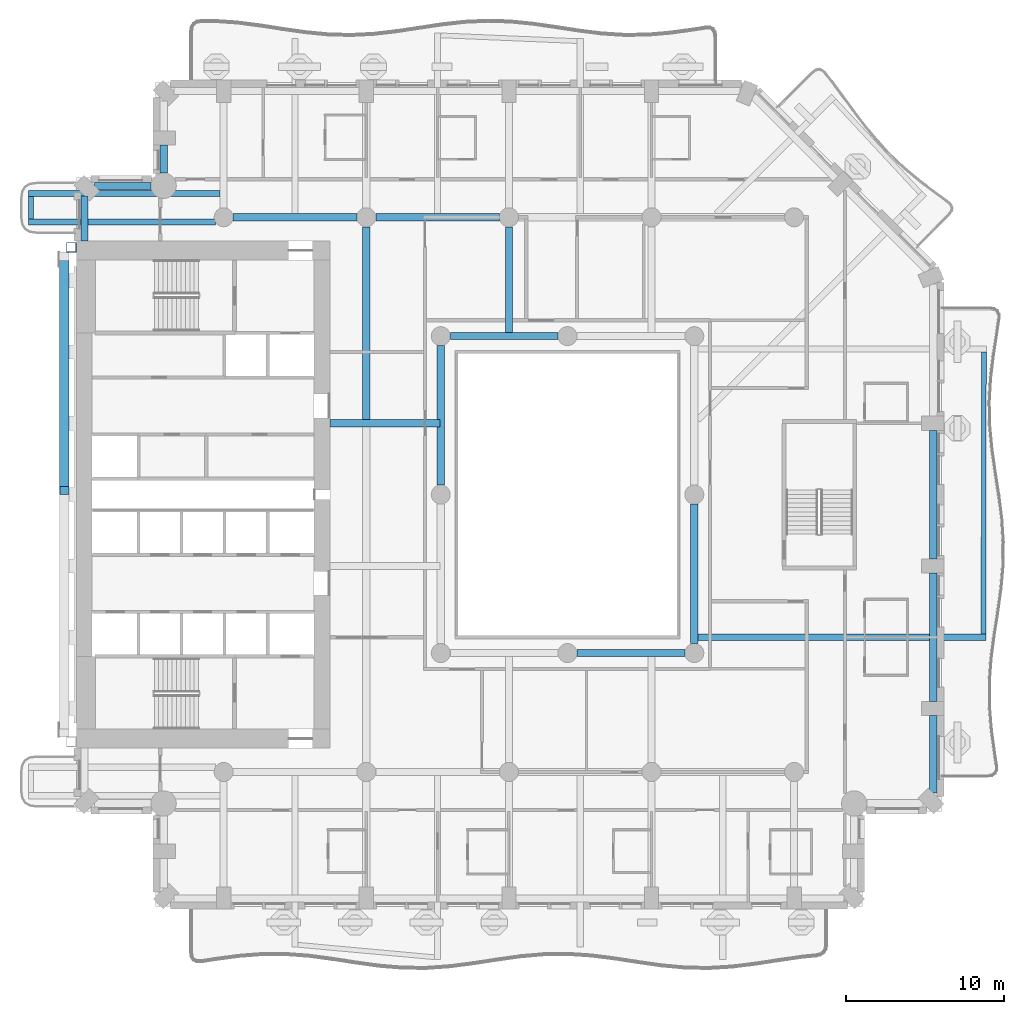
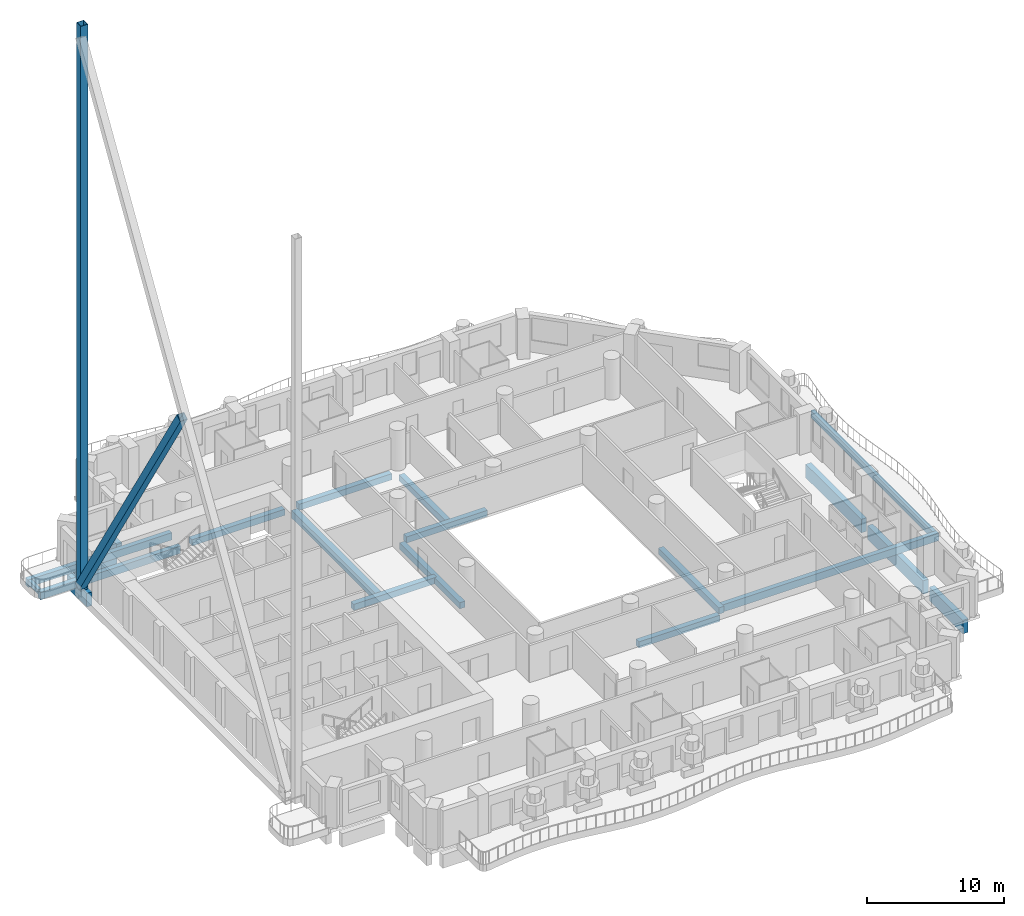
# One storey, part 3 of 24: 20 beams, 2 members.
"""IFC4 building model written with IfcOpenShell, lengths in metres."""

from ifc_helpers import new_model, si_unit, direction, frame, origin, origin_2d, place, context, subcontext, project, spatial, rectangle, hollow_rectangle, extrude, material, material_profile, profile_set, type_object, element, save


model = new_model("IFC4")

# Units and contexts
model_context = context("Model", 3, precision=1e-05, world=origin(), true_north=direction((0.0, 1.0)))
body_context = subcontext(model_context, "Body", "Model", "MODEL_VIEW")
ifc_project = project(units=[si_unit("LENGTHUNIT", "METRE"), si_unit("AREAUNIT", "SQUARE_METRE"), si_unit("VOLUMEUNIT", "CUBIC_METRE"), si_unit("PLANEANGLEUNIT", "RADIAN"), si_unit("MASSUNIT", "GRAM", prefix="KILO")], contexts=[model_context])

# Site, building, storey
site_placement = place(None, origin())
site = spatial("IfcSite", under=ifc_project, at=site_placement, CompositionType="ELEMENT")
building_placement = place(site_placement, origin())
building = spatial("IfcBuilding", under=site, at=building_placement, Name="Cypress Arch Tower", CompositionType="ELEMENT")
storey_placement = place(building_placement, frame((0.0, 0.0, 102.300048828125)))
storey = spatial("IfcBuildingStorey", under=building, at=storey_placement, Name="L20", CompositionType="ELEMENT", Elevation=102.300048828125)

# Beams
ifc_material_1 = material(Name="Concrete C50/60", Category="concrete")
ifc_material_profile_1 = material_profile(ifc_material_1, rectangle(XDim=0.300048828125, YDim=0.64990234375, at=origin_2d()), Name="RC 300x650")
ifc_profile_set_1 = profile_set([ifc_material_profile_1], Name="Concrete C50/60")
beam_type_1 = type_object("IfcBeamType", Name="Balcony edge beam RC 300x650 Concrete C50/60", PredefinedType="BEAM", material=ifc_profile_set_1)
beam_1_placement = place(storey_placement, frame((27.247802734375, -8.800048828125, -0.625), z_axis=(0.001605839349, 0.999998710639, 0.0), x_axis=(-0.999998710639, 0.001605839349, 0.0)))
element("IfcBeam", 1, at=beam_1_placement, inside=storey, type_object=beam_type_1, Name="Balcony edge beam L20 A06", PredefinedType="BEAM", context=body_context, shape_type="SweptSolid", body=[
    extrude(rectangle(XDim=0.300048828125, YDim=0.64990234375, at=origin_2d()), origin(), (0.0, 0.0, 1.0), 17.787841796875),
])
ifc_material_2 = material(Name="Concrete C50/60", Category="concrete")
ifc_material_profile_2 = material_profile(ifc_material_2, rectangle(XDim=0.300048828125, YDim=0.39990234375, at=origin_2d()), Name="RC 300x400")
ifc_profile_set_2 = profile_set([ifc_material_profile_2], Name="Concrete C50/60")
beam_type_2 = type_object("IfcBeamType", Name="Balcony stub beam RC 300x400 Concrete C50/60", PredefinedType="BEAM", material=ifc_profile_set_2)
beam_2_placement = place(storey_placement, frame((-32.85009765625, 18.800048828125, -0.5), z_axis=(0.0, -1.0, 0.0), x_axis=(1.0, 0.0, 0.0)))
element("IfcBeam", 2, at=beam_2_placement, inside=storey, type_object=beam_type_2, Name="Balcony stub beam L20 A00W0", PredefinedType="BEAM", context=body_context, shape_type="SweptSolid", body=[
    extrude(rectangle(XDim=0.300048828125, YDim=0.39990234375, at=origin_2d()), origin(), (0.0, 0.0, 1.0), 1.400146484375),
])
ifc_material_3 = material(Name="Concrete C50/60", Category="concrete")
ifc_material_profile_3 = material_profile(ifc_material_3, rectangle(XDim=0.39990234375, YDim=0.64990234375, at=origin_2d()), Name="RC 400x650")
ifc_profile_set_3 = profile_set([ifc_material_profile_3], Name="Concrete C50/60")
beam_type_3 = type_object("IfcBeamType", Name="Cantilever beam RC 400x650 Concrete C50/60", PredefinedType="BEAM", material=ifc_profile_set_3)
beam_3_placement = place(storey_placement, frame((-20.925048828125, 19.0, -0.625), z_axis=(-1.0, 0.0, 0.0), x_axis=(0.0, -1.0, 0.0)))
element("IfcBeam", 3, at=beam_3_placement, inside=storey, type_object=beam_type_3, Name="Cantilever beam L20 A00 1", PredefinedType="BEAM", context=body_context, shape_type="SweptSolid", body=[
    extrude(rectangle(XDim=0.39990234375, YDim=0.64990234375, at=origin_2d()), origin(), (0.0, 0.0, 1.0), 12.074951171875),
])
beam_4_placement = place(storey_placement, frame((-21.219482421875, 17.199951171875, -0.625), z_axis=(-1.0, 0.0, 0.0), x_axis=(0.0, -1.0, 0.0)))
element("IfcBeam", 4, at=beam_4_placement, inside=storey, type_object=beam_type_3, Name="Cantilever beam L20 A00 2", PredefinedType="BEAM", context=body_context, shape_type="SweptSolid", body=[
    extrude(rectangle(XDim=0.39990234375, YDim=0.64990234375, at=origin_2d()), origin(), (0.0, 0.0, 1.0), 11.780517578125),
])
beam_5_placement = place(storey_placement, frame((9.22509765625, -9.0, -0.625), z_axis=(1.0, 0.0, 0.0), x_axis=(0.0, 1.0, 0.0)))
element("IfcBeam", 5, at=beam_5_placement, inside=storey, type_object=beam_type_3, Name="Cantilever beam L20 A06 1", PredefinedType="BEAM", context=body_context, shape_type="SweptSolid", body=[
    extrude(rectangle(XDim=0.39990234375, YDim=0.64990234375, at=origin_2d()), origin(), (0.0, 0.0, 1.0), 18.1728515625),
])
ifc_material_4 = material(Name="Concrete C50/60", Category="concrete")
ifc_material_profile_4 = material_profile(ifc_material_4, rectangle(XDim=0.449951171875, YDim=0.550048828125, at=origin_2d()), Name="RC 450x550")
ifc_profile_set_4 = profile_set([ifc_material_profile_4], Name="Concrete C50/60")
beam_type_4 = type_object("IfcBeamType", Name="Floor beam RC 450x550 Concrete C50/60", PredefinedType="BEAM", material=ifc_profile_set_4)
for number, where, z_axis, x_axis, name in (
    (6, (-7.0, 0.60009765625, -0.574951171875), (0.0, 1.0, 0.0), (-1.0, 0.0, 0.0), "Floor beam L20 RB002"),
    (7, (9.0, -9.39990234375, -0.574951171875), (0.0, 1.0, 0.0), (-1.0, 0.0, 0.0), "Floor beam L20 RB003"),
):
    element("IfcBeam", number, at=place(storey_placement, frame(where, z_axis=z_axis, x_axis=x_axis)), inside=storey, type_object=beam_type_4, Name=name, PredefinedType="BEAM", context=body_context, shape_type="SweptSolid", body=[
        extrude(rectangle(XDim=0.449951171875, YDim=0.550048828125, at=origin_2d()), origin(), (0.0, 0.0, 1.0), 8.7998046875),
    ])
for number, where, z_axis, x_axis, name in (
    (8, (1.60009765625, -10.0, -0.574951171875), (1.0, 0.0, 0.0), (0.0, 1.0, 0.0), "Floor beam L20 RB006"),
    (9, (-6.39990234375, 10.0, -0.574951171875), (1.0, 0.0, 0.0), (0.0, 1.0, 0.0), "Floor beam L20 RB007"),
):
    element("IfcBeam", number, at=place(storey_placement, frame(where, z_axis=z_axis, x_axis=x_axis)), inside=storey, type_object=beam_type_4, Name=name, PredefinedType="BEAM", context=body_context, shape_type="SweptSolid", body=[
        extrude(rectangle(XDim=0.449951171875, YDim=0.550048828125, at=origin_2d()), origin(), (0.0, 0.0, 1.0), 6.7998046875),
    ])
beam_6_placement = place(storey_placement, frame((-14.0, 4.5, -0.574951171875), z_axis=(1.0, 0.0, 0.0), x_axis=(0.0, 1.0, 0.0)))
element("IfcBeam", 10, at=beam_6_placement, inside=storey, type_object=beam_type_4, Name="Floor beam L20 FB014", PredefinedType="BEAM", context=body_context, shape_type="SweptSolid", body=[
    extrude(rectangle(XDim=0.449951171875, YDim=0.550048828125, at=origin_2d()), origin(), (0.0, 0.0, 1.0), 6.949951171875),
])
for number, where, z_axis, x_axis, name in (
    (11, (-20.10009765625, 17.5, -0.574951171875), (1.0, 0.0, 0.0), (0.0, 1.0, 0.0), "Floor beam L20 FB015"),
    (12, (-11.10009765625, 17.5, -0.574951171875), (1.0, 0.0, 0.0), (0.0, 1.0, 0.0), "Floor beam L20 FB016"),
):
    element("IfcBeam", number, at=place(storey_placement, frame(where, z_axis=z_axis, x_axis=x_axis)), inside=storey, type_object=beam_type_4, Name=name, PredefinedType="BEAM", context=body_context, shape_type="SweptSolid", body=[
        extrude(rectangle(XDim=0.449951171875, YDim=0.550048828125, at=origin_2d()), origin(), (0.0, 0.0, 1.0), 7.800048828125),
    ])
beam_7_placement = place(storey_placement, frame((-2.699951171875, 10.22509765625, -0.574951171875), z_axis=(0.0, 1.0, 0.0), x_axis=(-1.0, 0.0, 0.0)))
element("IfcBeam", 13, at=beam_7_placement, inside=storey, type_object=beam_type_4, Name="Floor beam L20 FB028", PredefinedType="BEAM", context=body_context, shape_type="SweptSolid", body=[
    extrude(rectangle(XDim=0.449951171875, YDim=0.550048828125, at=origin_2d()), origin(), (0.0, 0.0, 1.0), 6.6748046875),
])
ifc_material_5 = material(Name="Concrete C50/60", Category="concrete")
ifc_material_profile_5 = material_profile(ifc_material_5, rectangle(XDim=0.5, YDim=0.699951171875, at=origin_2d()), Name="RC 500x700")
ifc_profile_set_5 = profile_set([ifc_material_profile_5], Name="Concrete C50/60")
beam_type_5 = type_object("IfcBeamType", Name="Floor beam RC 500x700 Concrete C50/60", PredefinedType="BEAM", material=ifc_profile_set_5)
beam_8_placement = place(storey_placement, frame((-11.699951171875, 4.72509765625, -0.650146484375), z_axis=(0.0, 1.0, 0.0), x_axis=(-1.0, 0.0, 0.0)))
element("IfcBeam", 14, at=beam_8_placement, inside=storey, type_object=beam_type_5, Name="Floor beam L20 FB024", PredefinedType="BEAM", context=body_context, shape_type="SweptSolid", body=[
    extrude(rectangle(XDim=0.5, YDim=0.699951171875, at=origin_2d()), origin(), (0.0, 0.0, 1.0), 12.1748046875),
])
ifc_material_6 = material(Name="Concrete C50/60", Category="concrete")
ifc_material_profile_6 = material_profile(ifc_material_6, rectangle(XDim=0.449951171875, YDim=1.199951171875, at=origin_2d()), Name="RC 450x1200")
ifc_profile_set_6 = profile_set([ifc_material_profile_6], Name="Concrete C50/60")
beam_type_6 = type_object("IfcBeamType", Name="Spandrel beam RC 450x1200 Concrete C50/60", PredefinedType="SPANDREL", material=ifc_profile_set_6)
beam_9_placement = place(storey_placement, frame((-29.47509765625, 18.838623046875, -1.550048828125), z_axis=(0.0, -1.0, 0.0), x_axis=(1.0, 0.0, 0.0)))
element("IfcBeam", 15, at=beam_9_placement, inside=storey, type_object=beam_type_6, Name="Spandrel beam L20 BA00-0", PredefinedType="SPANDREL", context=body_context, shape_type="SweptSolid", body=[
    extrude(rectangle(XDim=0.449951171875, YDim=1.199951171875, at=origin_2d()), origin(), (0.0, 0.0, 1.0), 2.838623046875),
])
beam_10_placement = place(storey_placement, frame((24.074951171875, -18.838623046875, -1.550048828125), z_axis=(0.0, 1.0, 0.0), x_axis=(-1.0, 0.0, 0.0)))
element("IfcBeam", 16, at=beam_10_placement, inside=storey, type_object=beam_type_6, Name="Spandrel beam L20 BA06-0", PredefinedType="SPANDREL", context=body_context, shape_type="SweptSolid", body=[
    extrude(rectangle(XDim=0.449951171875, YDim=1.199951171875, at=origin_2d()), origin(), (0.0, 0.0, 1.0), 4.888671875),
])
for number, where, z_axis, x_axis, name in (
    (17, (24.074951171875, -13.050048828125, -1.550048828125), (0.0, 1.0, 0.0), (-1.0, 0.0, 0.0), "Spandrel beam L20 BA06-1"),
    (18, (24.074951171875, -4.050048828125, -1.550048828125), (0.0, 1.0, 0.0), (-1.0, 0.0, 0.0), "Spandrel beam L20 BA06-2"),
):
    element("IfcBeam", number, at=place(storey_placement, frame(where, z_axis=z_axis, x_axis=x_axis)), inside=storey, type_object=beam_type_6, Name=name, PredefinedType="SPANDREL", context=body_context, shape_type="SweptSolid", body=[
        extrude(rectangle(XDim=0.449951171875, YDim=1.199951171875, at=origin_2d()), origin(), (0.0, 0.0, 1.0), 8.10009765625),
    ])
beam_11_placement = place(storey_placement, frame((-24.47509765625, 22.050048828125, -1.550048828125), z_axis=(0.0, -1.0, 0.0), x_axis=(1.0, 0.0, 0.0)))
element("IfcBeam", 19, at=beam_11_placement, inside=storey, type_object=beam_type_6, Name="Spandrel beam L20 BA09-1", PredefinedType="SPANDREL", context=body_context, shape_type="SweptSolid", body=[
    extrude(rectangle(XDim=0.449951171875, YDim=1.199951171875, at=origin_2d()), origin(), (0.0, 0.0, 1.0), 1.762451171875),
])
beam_12_placement = place(storey_placement, frame((-25.28759765625, 19.47509765625, -1.550048828125), z_axis=(-1.0, 0.0, 0.0), x_axis=(0.0, -1.0, 0.0)))
element("IfcBeam", 20, at=beam_12_placement, inside=storey, type_object=beam_type_6, Name="Spandrel beam L20 BA10-0", PredefinedType="SPANDREL", context=body_context, shape_type="SweptSolid", body=[
    extrude(rectangle(XDim=0.449951171875, YDim=1.199951171875, at=origin_2d()), origin(), (0.0, 0.0, 1.0), 3.551025390625),
])

# Members
ifc_material_7 = material(Name="Steel ASTM A501 Grade B", Category="steel")
ifc_material_profile_7 = material_profile(ifc_material_7, hollow_rectangle(XDim=0.609619140625, YDim=0.609619140625, WallThickness=0.023681640625, at=origin_2d()), Name="HSS 24x24x1")
ifc_profile_set_7 = profile_set([ifc_material_profile_7], Name="Steel ASTM A501 Grade B")
member_type_1 = type_object("IfcMemberType", Name="West bracing diagonal HSS 24x24x1 Steel ASTM A501 Grade B", PredefinedType="BRACE", material=ifc_profile_set_7)
member_1_placement = place(storey_placement, frame((-30.7548828125, 15.036376953125, 0.724365234375), z_axis=(0.0, -0.525010819264, 0.8510955526), x_axis=(1.0, 0.0, 0.0)))
element("IfcMember", 21, at=member_1_placement, inside=storey, type_object=member_type_1, Name="West bracing diagonal 2C", PredefinedType="BRACE", context=body_context, shape_type="SweptSolid", body=[
    extrude(hollow_rectangle(XDim=0.609619140625, YDim=0.609619140625, WallThickness=0.023681640625, at=origin_2d()), origin(), (0.0, 0.0, 1.0), 28.146728515625),
])
ifc_material_8 = material(Name="Steel ASTM A501 Grade B", Category="steel")
ifc_material_profile_8 = material_profile(ifc_material_8, hollow_rectangle(XDim=0.609619140625, YDim=0.609619140625, WallThickness=0.023681640625, at=origin_2d()), Name="HSS 24x24x1")
ifc_profile_set_8 = profile_set([ifc_material_profile_8], Name="Steel ASTM A501 Grade B")
member_type_2 = type_object("IfcMemberType", Name="West bracing post HSS 24x24x1 Steel ASTM A501 Grade B", PredefinedType="POST", material=ifc_profile_set_8)
member_2_placement = place(storey_placement, frame((-30.3046875, 15.60009765625, 0.0), z_axis=(0.0, 0.0, 1.0), x_axis=(1.0, 0.0, 0.0)))
element("IfcMember", 22, at=member_2_placement, inside=storey, type_object=member_type_2, Name="West bracing post 2N", PredefinedType="POST", context=body_context, shape_type="SweptSolid", body=[
    extrude(hollow_rectangle(XDim=0.609619140625, YDim=0.609619140625, WallThickness=0.023681640625, at=origin_2d()), origin(), (0.0, 0.0, 1.0), 50.199951171875),
])

save(model, "model.ifc")
